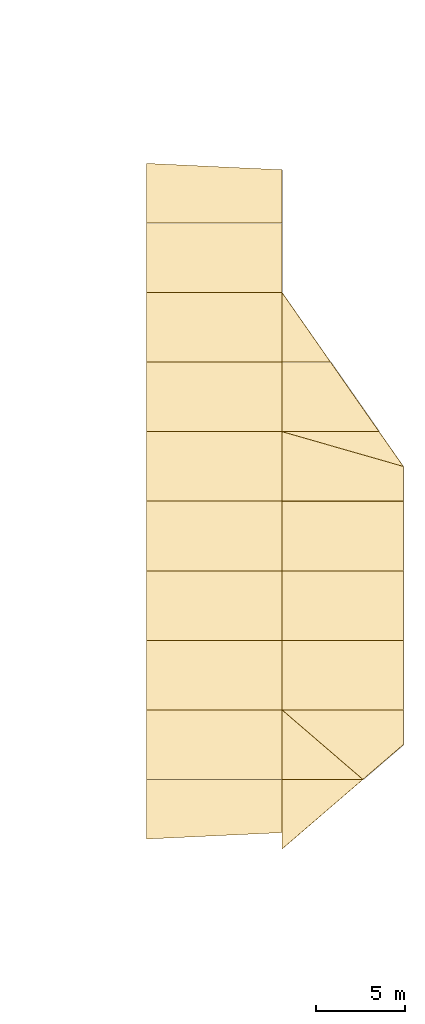
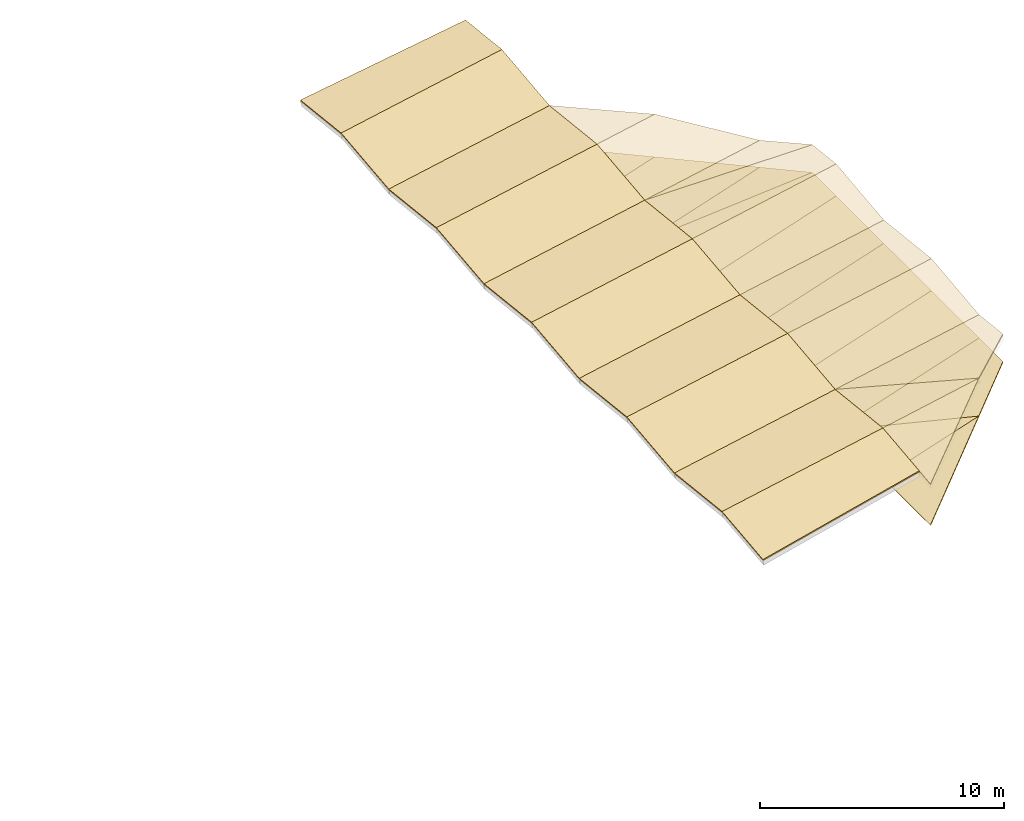
# One storey, part 12 of 12: 30 coverings.
"""IFC4 building model written with IfcOpenShell, lengths in metres."""

from ifc_helpers import new_model, si_unit, direction, frame, origin, place, context, subcontext, project, spatial, polyline, outline, extrude, material, layer, layer_set, type_object, element, save


model = new_model("IFC4")

# Units and contexts
model_context = context("Model", 3, precision=1e-05, world=origin(), true_north=direction((0.0, 1.0)))
body_context = subcontext(model_context, "Body", "Model", "MODEL_VIEW")
ifc_project = project(units=[si_unit("LENGTHUNIT", "METRE"), si_unit("AREAUNIT", "SQUARE_METRE"), si_unit("VOLUMEUNIT", "CUBIC_METRE"), si_unit("PLANEANGLEUNIT", "RADIAN"), si_unit("MASSUNIT", "GRAM", prefix="KILO")], contexts=[model_context])

# Site, building, storey
site_placement = place(None, origin())
site = spatial("IfcSite", under=ifc_project, at=site_placement, CompositionType="ELEMENT")
building_placement = place(site_placement, origin())
building = spatial("IfcBuilding", under=site, at=building_placement, Name="Vervanel Yard Central Library", CompositionType="ELEMENT")
storey_placement = place(building_placement, frame((0.0, 0.0, 20.260009765625)))
storey = spatial("IfcBuildingStorey", under=building, at=storey_placement, Name="L05", CompositionType="ELEMENT", Elevation=20.260009765625)

# Coverings
ifc_material_1 = material(Name="Standing-seam dark zinc-coated metal roofing", Category="metal")
ifc_layer_1 = layer(ifc_material_1, 0.06494140625, Category="metal")
ifc_layer_set_1 = layer_set([ifc_layer_1], Name="Standing-seam dark zinc-coated metal roofing")
covering_type_1 = type_object("IfcCoveringType", Name="Standing-Seam Dark Zinc Roof Assembly", PredefinedType="ROOFING", material=ifc_layer_set_1)
covering_1_placement = place(storey_placement, frame((138.39990234375, 43.760009765625, 0.739013671875), z_axis=(-0.194556700539, -0.109350345609, 0.974776996133), x_axis=(0.978591755513, 0.046368402702, 0.200519692979)))
element("IfcCovering", 1, at=covering_1_placement, inside=storey, type_object=covering_type_1, Name="Standing-Seam Zinc Roofing V3-FS-B5-S01", PredefinedType="ROOFING", context=body_context, shape_type="SweptSolid", body=[
    extrude(outline(polyline([(0.0, 0.0), (7.766374478668326, 1.6653345369377348e-16), (7.97157081242692, 2.991636133514931), (0.23002047023826538, 3.3531656163182273), (0.0, 0.0)])), origin(), (0.0, 0.0, -1.0), 0.06494140625),
])
covering_2_placement = place(storey_placement, frame((138.39990234375, 47.10009765625, 1.11376953125), z_axis=(-0.194564308154, 0.109322391728, 0.974778613153), x_axis=(0.980656364614, 1.678511e-06, 0.195737310036)))
element("IfcCovering", 2, at=covering_2_placement, inside=storey, type_object=covering_type_1, Name="Standing-Seam Zinc Roofing V3-FS-B5-S02", PredefinedType="ROOFING", context=body_context, shape_type="SweptSolid", body=[
    extrude(outline(polyline([(0.0, 0.0), (7.749987435955398, 2.7755575615628914e-17), (7.664406696272761, 3.9234050135285425), (-0.08562852711184588, 3.9234311873629717), (0.0, 0.0)])), origin(), (0.0, 0.0, -1.0), 0.06494140625),
])
covering_3_placement = place(storey_placement, frame((138.39990234375, 51.0, 0.67626953125), z_axis=(-0.194564308154, -0.109322391728, 0.974778613153), x_axis=(0.980656292345, 1.678501e-06, 0.195737672103)))
element("IfcCovering", 3, at=covering_3_placement, inside=storey, type_object=covering_type_1, Name="Standing-Seam Zinc Roofing V3-FS-B5-S03", PredefinedType="ROOFING", context=body_context, shape_type="SweptSolid", body=[
    extrude(outline(polyline([(0.0, 0.0), (7.750035223428805, 2.7755575615628914e-17), (7.8356292134446965, 3.923404724478306), (0.08564177753349511, 3.9234308981513446), (0.0, 0.0)])), origin(), (0.0, 0.0, -1.0), 0.06494140625),
])
covering_4_placement = place(storey_placement, frame((138.39990234375, 54.89990234375, 1.11376953125), z_axis=(-0.194564453709, 0.109315630166, 0.974779342392), x_axis=(0.980656364609, 1.678408e-06, 0.195737310058)))
element("IfcCovering", 4, at=covering_4_placement, inside=storey, type_object=covering_type_1, Name="Standing-Seam Zinc Roofing V3-FS-B5-S04", PredefinedType="ROOFING", context=body_context, shape_type="SweptSolid", body=[
    extrude(outline(polyline([(0.0, 0.0), (7.749987435955397, 0.0), (7.664406696272762, 3.923647691750218), (-0.08562852711184862, 3.9236738639658015), (0.0, 0.0)])), origin(), (0.0, 0.0, -1.0), 0.06494140625),
])
covering_5_placement = place(storey_placement, frame((138.39990234375, 58.800048828125, 0.67626953125), z_axis=(-0.194564308154, -0.109322391728, 0.974778613153), x_axis=(0.980656292345, 1.678501e-06, 0.195737672103)))
element("IfcCovering", 5, at=covering_5_placement, inside=storey, type_object=covering_type_1, Name="Standing-Seam Zinc Roofing V3-FS-B5-S05", PredefinedType="ROOFING", context=body_context, shape_type="SweptSolid", body=[
    extrude(outline(polyline([(0.0, 0.0), (7.750035223428805, 2.7755575615628914e-17), (7.8356292134446965, 3.923404724478306), (0.08564177753349511, 3.9234308981513446), (0.0, 0.0)])), origin(), (0.0, 0.0, -1.0), 0.06494140625),
])
covering_6_placement = place(storey_placement, frame((138.39990234375, 62.699951171875, 1.11376953125), z_axis=(-0.194564453709, 0.109315630166, 0.974779342392), x_axis=(0.980656364609, 1.678408e-06, 0.195737310058)))
element("IfcCovering", 6, at=covering_6_placement, inside=storey, type_object=covering_type_1, Name="Standing-Seam Zinc Roofing V3-FS-B5-S06", PredefinedType="ROOFING", context=body_context, shape_type="SweptSolid", body=[
    extrude(outline(polyline([(0.0, 0.0), (7.749987435955397, 0.0), (7.664406696272762, 3.923647691750218), (-0.08562852711184862, 3.9236738639658015), (0.0, 0.0)])), origin(), (0.0, 0.0, -1.0), 0.06494140625),
])
covering_7_placement = place(storey_placement, frame((138.39990234375, 66.60009765625, 0.67626953125), z_axis=(-0.194564308154, -0.109322391728, 0.974778613153), x_axis=(0.980656292345, 1.678501e-06, 0.195737672103)))
element("IfcCovering", 7, at=covering_7_placement, inside=storey, type_object=covering_type_1, Name="Standing-Seam Zinc Roofing V3-FS-B5-S07", PredefinedType="ROOFING", context=body_context, shape_type="SweptSolid", body=[
    extrude(outline(polyline([(0.0, 0.0), (7.750035223428805, 2.7755575615628914e-17), (7.8356292134446965, 3.923404724478306), (0.08564177753349511, 3.9234308981513446), (0.0, 0.0)])), origin(), (0.0, 0.0, -1.0), 0.06494140625),
])
covering_8_placement = place(storey_placement, frame((138.39990234375, 70.5, 1.11376953125), z_axis=(-0.194564308154, 0.109322391728, 0.974778613153), x_axis=(0.980656364614, 1.678511e-06, 0.195737310036)))
element("IfcCovering", 8, at=covering_8_placement, inside=storey, type_object=covering_type_1, Name="Standing-Seam Zinc Roofing V3-FS-B5-S08", PredefinedType="ROOFING", context=body_context, shape_type="SweptSolid", body=[
    extrude(outline(polyline([(0.0, 0.0), (7.749987435955398, 2.7755575615628914e-17), (7.664406696272761, 3.9234050135285425), (-0.08562852711184588, 3.9234311873629717), (0.0, 0.0)])), origin(), (0.0, 0.0, -1.0), 0.06494140625),
])
covering_9_placement = place(storey_placement, frame((138.39990234375, 74.39990234375, 0.67626953125), z_axis=(-0.194564453709, -0.109315630166, 0.974779342392), x_axis=(0.98065629235, 1.678398e-06, 0.195737672081)))
element("IfcCovering", 9, at=covering_9_placement, inside=storey, type_object=covering_type_1, Name="Standing-Seam Zinc Roofing V3-FS-B5-S09", PredefinedType="ROOFING", context=body_context, shape_type="SweptSolid", body=[
    extrude(outline(polyline([(0.0, 0.0), (7.750035223428805, 5.551115123125783e-17), (7.835629213444699, 3.9236474027178594), (0.08564177753349239, 3.923673574772063), (0.0, 0.0)])), origin(), (0.0, 0.0, -1.0), 0.06494140625),
])
covering_10_placement = place(storey_placement, frame((138.39990234375, 78.300048828125, 1.11376953125), z_axis=(-0.194558204308, 0.109354484158, 0.974776231722), x_axis=(0.980657438541, 1.0754e-06, 0.195731929518)))
element("IfcCovering", 10, at=covering_10_placement, inside=storey, type_object=covering_type_1, Name="Standing-Seam Zinc Roofing V3-FS-B5-S10", PredefinedType="ROOFING", context=body_context, shape_type="SweptSolid", body=[
    extrude(outline(polyline([(0.0, 0.0), (7.749987436494137, 0.0), (7.684571448902756, 2.997951473514413), (-0.07334809578473366, 3.360002720175409), (0.0, 0.0)])), origin(), (0.0, 0.0, -1.0), 0.06494140625),
])
covering_11_placement = place(storey_placement, frame((150.533203125, 47.10009765625, 3.53564453125), z_axis=(-0.194608330504, -0.109284529638, 0.97477407089), x_axis=(-0.739649870283, -0.636358610393, -0.219010932078)))
element("IfcCovering", 11, at=covering_11_placement, inside=storey, type_object=covering_type_1, Name="Standing-Seam Zinc Roofing V3-FS-B6-S01", PredefinedType="ROOFING", context=body_context, shape_type="SweptSolid", body=[
    extrude(outline(polyline([(3.5511944132387985, -2.9593963641414054), (6.128850023681566, -3.400058012914542e-16), (0.0, 0.0), (3.5511944132387985, -2.9593963641414054)])), origin(), (0.0, 0.0, -1.0), 0.06494140625),
])
covering_12_placement = place(storey_placement, frame((152.800048828125, 51.0, 3.550537109375), z_axis=(-0.194547588103, 0.10935976664, 0.974777757955), x_axis=(-1.345502e-06, -0.993765585891, 0.111489731805)))
element("IfcCovering", 12, at=covering_12_placement, inside=storey, type_object=covering_type_1, Name="Standing-Seam Zinc Roofing V3-FS-B6-S02-P1", PredefinedType="ROOFING", context=body_context, shape_type="SweptSolid", body=[
    extrude(outline(polyline([(-0.15130223213945163, -6.9325105915485565), (3.8739314180562197, -2.3109965144160554), (1.9621827476085212, -6.938893903907228e-18), (0.0, 0.0), (-0.15130223213945163, -6.9325105915485565)])), origin(), (0.0, 0.0, -1.0), 0.06494140625),
])
covering_13_placement = place(storey_placement, frame((146.0, 51.0, 2.193359375), z_axis=(-0.194608184999, 0.109291289323, 0.97477334207), x_axis=(0.739668619887, -0.636334905971, 0.21901648385)))
element("IfcCovering", 13, at=covering_13_placement, inside=storey, type_object=covering_type_1, Name="Standing-Seam Zinc Roofing V3-FS-B6-S02-P2", PredefinedType="ROOFING", context=body_context, shape_type="SweptSolid", body=[
    extrude(outline(polyline([(2.5774102320690644, -2.9592883389372866), (6.12869466558627, -3.3306690738754696e-16), (0.0, 0.0), (2.5774102320690644, -2.9592883389372866)])), origin(), (0.0, 0.0, -1.0), 0.06494140625),
])
covering_14_placement = place(storey_placement, frame((152.800048828125, 54.89990234375, 3.988037109375), z_axis=(-0.194567141589, -0.109322329088, 0.974778054624), x_axis=(-5.899509e-06, -0.993769657446, -0.111453433799)))
element("IfcCovering", 14, at=covering_14_placement, inside=storey, type_object=covering_type_1, Name="Standing-Seam Zinc Roofing V3-FS-B6-S03", PredefinedType="ROOFING", context=body_context, shape_type="SweptSolid", body=[
    extrude(outline(polyline([(0.15132944603047982, -6.9325577960964635), (4.075667729226409, -6.9325105904625035), (3.9243654935069157, 0.0), (0.0, 0.0), (0.15132944603047982, -6.9325577960964635)])), origin(), (0.0, 0.0, -1.0), 0.06494140625),
])
covering_15_placement = place(storey_placement, frame((152.800048828125, 58.800048828125, 3.550537109375), z_axis=(-0.194567287146, 0.10931556753, 0.974778783862), x_axis=(5.899153e-06, -0.993770430159, 0.111446543716)))
element("IfcCovering", 15, at=covering_15_placement, inside=storey, type_object=covering_type_1, Name="Standing-Seam Zinc Roofing V3-FS-B6-S04", PredefinedType="ROOFING", context=body_context, shape_type="SweptSolid", body=[
    extrude(outline(polyline([(-0.15129288223237047, -6.932510794596303), (3.7732880214760844, -6.932558000302302), (3.924608112337292, 0.0), (0.0, 0.0), (-0.15129288223237047, -6.932510794596303)])), origin(), (0.0, 0.0, -1.0), 0.06494140625),
])
covering_16_placement = place(storey_placement, frame((152.800048828125, 62.699951171875, 3.988037109375), z_axis=(-0.194567141589, -0.109322329088, 0.974778054624), x_axis=(-5.899509e-06, -0.993769657446, -0.111453433799)))
element("IfcCovering", 16, at=covering_16_placement, inside=storey, type_object=covering_type_1, Name="Standing-Seam Zinc Roofing V3-FS-B6-S05", PredefinedType="ROOFING", context=body_context, shape_type="SweptSolid", body=[
    extrude(outline(polyline([(0.15132944603047982, -6.9325577960964635), (4.075667729226409, -6.9325105904625035), (3.9243654935069157, 0.0), (0.0, 0.0), (0.15132944603047982, -6.9325577960964635)])), origin(), (0.0, 0.0, -1.0), 0.06494140625),
])
covering_17_placement = place(storey_placement, frame((152.800048828125, 62.699951171875, 3.988037109375), z_axis=(-0.194571808369, 0.109307676532, 0.974778766305), x_axis=(-0.980654856067, 1.39071e-06, -0.195744867802)))
element("IfcCovering", 17, at=covering_17_placement, inside=storey, type_object=covering_type_1, Name="Standing-Seam Zinc Roofing V3-FS-B6-S06-P1", PredefinedType="ROOFING", context=body_context, shape_type="SweptSolid", body=[
    extrude(outline(polyline([(0.04282190164727631, -1.9617154258843628), (7.019805284624738, -3.9236473593689385), (6.934209270265022, 0.0), (0.0, 0.0), (0.04282190164727631, -1.9617154258843628)])), origin(), (0.0, 0.0, -1.0), 0.06494140625),
])
covering_18_placement = place(storey_placement, frame((152.800048828125, 64.64990234375, 3.769287109375), z_axis=(-0.19454449956, 0.109357544963, 0.974778623612), x_axis=(-0.938250431401, 0.269082125661, -0.217441802847)))
element("IfcCovering", 18, at=covering_18_placement, inside=storey, type_object=covering_type_1, Name="Standing-Seam Zinc Roofing V3-FS-B6-S06-P2", PredefinedType="ROOFING", context=body_context, shape_type="SweptSolid", body=[
    extrude(outline(polyline([(1.907481521785091, -1.5016650566676004), (7.247584014397727, -4.163336342344337e-17), (0.0, 0.0), (1.907481521785091, -1.5016650566676004)])), origin(), (0.0, 0.0, -1.0), 0.06494140625),
])
covering_19_placement = place(storey_placement, frame((148.719970703125, 70.5, 3.173583984375), z_axis=(-0.194559494147, -0.109312453986, 0.974780688484), x_axis=(0.571911562782, -0.820015030675, 0.022192652459)))
element("IfcCovering", 19, at=covering_19_placement, inside=storey, type_object=covering_type_1, Name="Standing-Seam Zinc Roofing V3-FS-B6-S07", PredefinedType="ROOFING", context=body_context, shape_type="SweptSolid", body=[
    extrude(outline(polyline([(-1.5676326123110556, -2.2881397850351664), (1.6206420604054896, -4.576225356504427), (4.755901866899559, -3.226585665316861e-16), (0.0, 0.0), (-1.5676326123110556, -2.2881397850351664)])), origin(), (0.0, 0.0, -1.0), 0.06494140625),
])
covering_20_placement = place(storey_placement, frame((146.0, 74.39990234375, 2.193359375), z_axis=(-0.194587987508, 0.109291735789, 0.974777324113), x_axis=(0.560273292263, -0.803321566341, 0.201911611923)))
element("IfcCovering", 20, at=covering_20_placement, inside=storey, type_object=covering_type_1, Name="Standing-Seam Zinc Roofing V3-FS-B6-S08", PredefinedType="ROOFING", context=body_context, shape_type="SweptSolid", body=[
    extrude(outline(polyline([(3.2211626947460084, -2.2415489892753073), (4.854721330979713, 1.3877787807814457e-16), (0.0, 0.0), (3.2211626947460084, -2.2415489892753073)])), origin(), (0.0, 0.0, -1.0), 0.06494140625),
])
ifc_material_2 = material(Name="Warm patinated copper perforated acoustic soffit", Category="metal")
ifc_layer_2 = layer(ifc_material_2, 0.044921875, Category="metal")
ifc_layer_set_2 = layer_set([ifc_layer_2], Name="Warm patinated copper perforated acoustic soffit")
covering_type_2 = type_object("IfcCoveringType", Name="Warm Copper Perforated Prow Soffit Panel", PredefinedType="CEILING", material=ifc_layer_set_2)
covering_21_placement = place(storey_placement, frame((150.533203125, 47.10009765625, 1.63671875), z_axis=(-0.31252661087, 0.0, 0.949909004852), x_axis=(-0.735522886062, -0.632807954806, -0.2419920999)))
element("IfcCovering", 21, at=covering_21_placement, inside=storey, type_object=covering_type_2, Name="Prow Cantilever Warm Copper Acoustic Soffit V3-FS-B6-S01", PredefinedType="CEILING", context=body_context, shape_type="SweptSolid", body=[
    extrude(outline(polyline([(3.6951949918658764, -3.019917680113808), (6.163238712086145, 0.0), (0.0, 0.0), (3.6951949918658764, -3.019917680113808)])), origin(), (0.0, 0.0, -1.0), 0.044921875),
])
covering_22_placement = place(storey_placement, frame((152.800048828125, 51.0, 2.382568359375), z_axis=(-0.312533376228, -5.810156e-06, 0.949906778958), x_axis=(1.815868e-06, -0.999999999983, -5.519107e-06)))
element("IfcCovering", 22, at=covering_22_placement, inside=storey, type_object=covering_type_2, Name="Prow Cantilever Warm Copper Acoustic Soffit V3-FS-B6-S02-P1", PredefinedType="CEILING", context=body_context, shape_type="SweptSolid", body=[
    extrude(outline(polyline([(-6.582628747506735e-11, -7.1586448668351546), (3.8999023438158265, -2.3863949968661275), (1.949951171842087, 0.0), (0.0, 0.0), (-6.582628747506735e-11, -7.1586448668351546)])), origin(), (0.0, 0.0, -1.0), 0.044921875),
])
covering_23_placement = place(storey_placement, frame((146.0, 51.0, 0.145263671875), z_axis=(-0.31252661087, 0.0, 0.949909004852), x_axis=(0.735541323557, -0.632784204141, 0.241998165963)))
element("IfcCovering", 23, at=covering_23_placement, inside=storey, type_object=covering_type_2, Name="Prow Cantilever Warm Copper Acoustic Soffit V3-FS-B6-S02-P2", PredefinedType="CEILING", context=body_context, shape_type="SweptSolid", body=[
    extrude(outline(polyline([(2.467796600818621, -3.0198043360083457), (6.163084220855769, -1.6653345369377348e-16), (0.0, 0.0), (2.467796600818621, -3.0198043360083457)])), origin(), (0.0, 0.0, -1.0), 0.044921875),
])
covering_24_placement = place(storey_placement, frame((152.800048828125, 54.89990234375, 2.382568359375), z_axis=(-0.312531872878, 0.0, 0.949907273599), x_axis=(0.0, -1.0, 0.0)))
element("IfcCovering", 24, at=covering_24_placement, inside=storey, type_object=covering_type_2, Name="Prow Cantilever Warm Copper Acoustic Soffit V3-FS-B6-S03", PredefinedType="CEILING", context=body_context, shape_type="SweptSolid", body=[
    extrude(outline(polyline([(0.0, -7.158644866844119), (3.89990234375, -7.158644866844119), (3.89990234375, 0.0), (0.0, 0.0), (0.0, -7.158644866844119)])), origin(), (0.0, 0.0, -1.0), 0.044921875),
])
covering_25_placement = place(storey_placement, frame((152.800048828125, 58.800048828125, 2.382568359375), z_axis=(-0.312531872878, 0.0, 0.949907273599), x_axis=(0.0, -1.0, 0.0)))
element("IfcCovering", 25, at=covering_25_placement, inside=storey, type_object=covering_type_2, Name="Prow Cantilever Warm Copper Acoustic Soffit V3-FS-B6-S04", PredefinedType="CEILING", context=body_context, shape_type="SweptSolid", body=[
    extrude(outline(polyline([(0.0, -7.158644866844119), (3.900146484375, -7.158644866844119), (3.900146484375, 0.0), (0.0, 0.0), (0.0, -7.158644866844119)])), origin(), (0.0, 0.0, -1.0), 0.044921875),
])
covering_26_placement = place(storey_placement, frame((152.800048828125, 62.699951171875, 2.382568359375), z_axis=(-0.312531872878, 0.0, 0.949907273599), x_axis=(0.0, -1.0, 0.0)))
element("IfcCovering", 26, at=covering_26_placement, inside=storey, type_object=covering_type_2, Name="Prow Cantilever Warm Copper Acoustic Soffit V3-FS-B6-S05", PredefinedType="CEILING", context=body_context, shape_type="SweptSolid", body=[
    extrude(outline(polyline([(0.0, -7.158644866844119), (3.89990234375, -7.158644866844119), (3.89990234375, 0.0), (0.0, 0.0), (0.0, -7.158644866844119)])), origin(), (0.0, 0.0, -1.0), 0.044921875),
])
covering_27_placement = place(storey_placement, frame((152.800048828125, 62.699951171875, 2.382568359375), z_axis=(-0.312531872878, 0.0, 0.949907273599), x_axis=(-0.949907273599, 0.0, -0.312531872878)))
element("IfcCovering", 27, at=covering_27_placement, inside=storey, type_object=covering_type_2, Name="Prow Cantilever Warm Copper Acoustic Soffit V3-FS-B6-S06-P1", PredefinedType="CEILING", context=body_context, shape_type="SweptSolid", body=[
    extrude(outline(polyline([(0.0, -1.949951171875), (7.158644866844119, -3.900146484375), (7.158644866844119, 0.0), (0.0, 0.0), (0.0, -1.949951171875)])), origin(), (0.0, 0.0, -1.0), 0.044921875),
])
covering_28_placement = place(storey_placement, frame((152.800048828125, 64.64990234375, 2.382568359375), z_axis=(-0.312529241909, 1.0166802e-05, 0.949908139163), x_axis=(-0.916506410864, 0.262846128244, -0.301542553734)))
element("IfcCovering", 28, at=covering_28_placement, inside=storey, type_object=covering_type_2, Name="Prow Cantilever Warm Copper Acoustic Soffit V3-FS-B6-S06-P2", PredefinedType="CEILING", context=body_context, shape_type="SweptSolid", body=[
    extrude(outline(polyline([(1.8940916963698013, -1.5052692755813302), (7.419532201324463, -5.551115123125783e-16), (0.0, 0.0), (1.8940916963698013, -1.5052692755813302)])), origin(), (0.0, 0.0, -1.0), 0.044921875),
])
covering_29_placement = place(storey_placement, frame((148.719970703125, 70.5, 1.040283203125), z_axis=(-0.31254206418, -1.9821876e-05, 0.94990392026), x_axis=(0.56218243051, -0.806066054943, 0.184955210511)))
element("IfcCovering", 29, at=covering_29_placement, inside=storey, type_object=covering_type_2, Name="Prow Cantilever Warm Copper Acoustic Soffit V3-FS-B6-S07", PredefinedType="CEILING", context=body_context, shape_type="SweptSolid", body=[
    extrude(outline(polyline([(-1.694658266612122, -2.308123467365787), (1.4489206302762623, -4.616185425773521), (4.838192008419815, -4.440892098500626e-16), (0.0, 0.0), (-1.694658266612122, -2.308123467365787)])), origin(), (0.0, 0.0, -1.0), 0.044921875),
])
covering_30_placement = place(storey_placement, frame((146.0, 74.39990234375, 0.145263671875), z_axis=(-0.312567708363, 0.0, 0.949895482508), x_axis=(0.56218217702, -0.806058531166, 0.184988767701)))
element("IfcCovering", 30, at=covering_30_placement, inside=storey, type_object=covering_type_2, Name="Prow Cantilever Warm Copper Acoustic Soffit V3-FS-B6-S08", PredefinedType="CEILING", context=body_context, shape_type="SweptSolid", body=[
    extrude(outline(polyline([(3.143549554893733, -2.3081019229475457), (4.8382371663617345, 0.0), (0.0, 0.0), (3.143549554893733, -2.3081019229475457)])), origin(), (0.0, 0.0, -1.0), 0.044921875),
])

save(model, "model.ifc")
